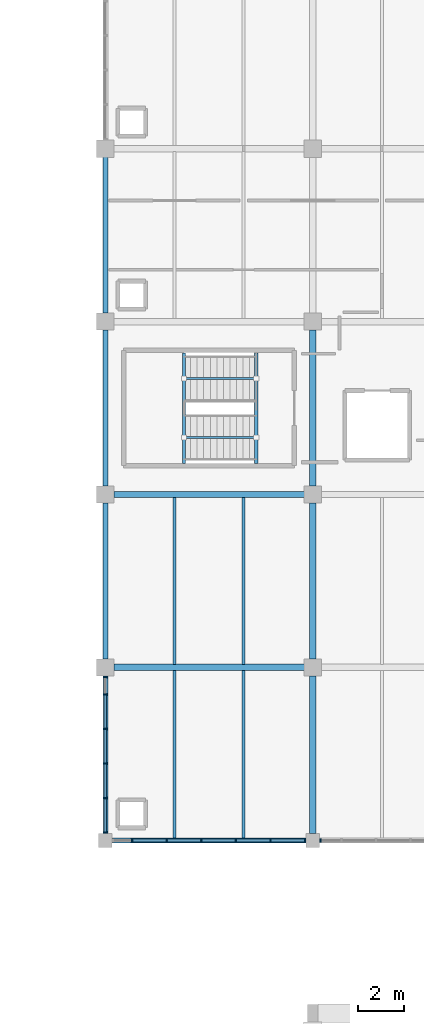
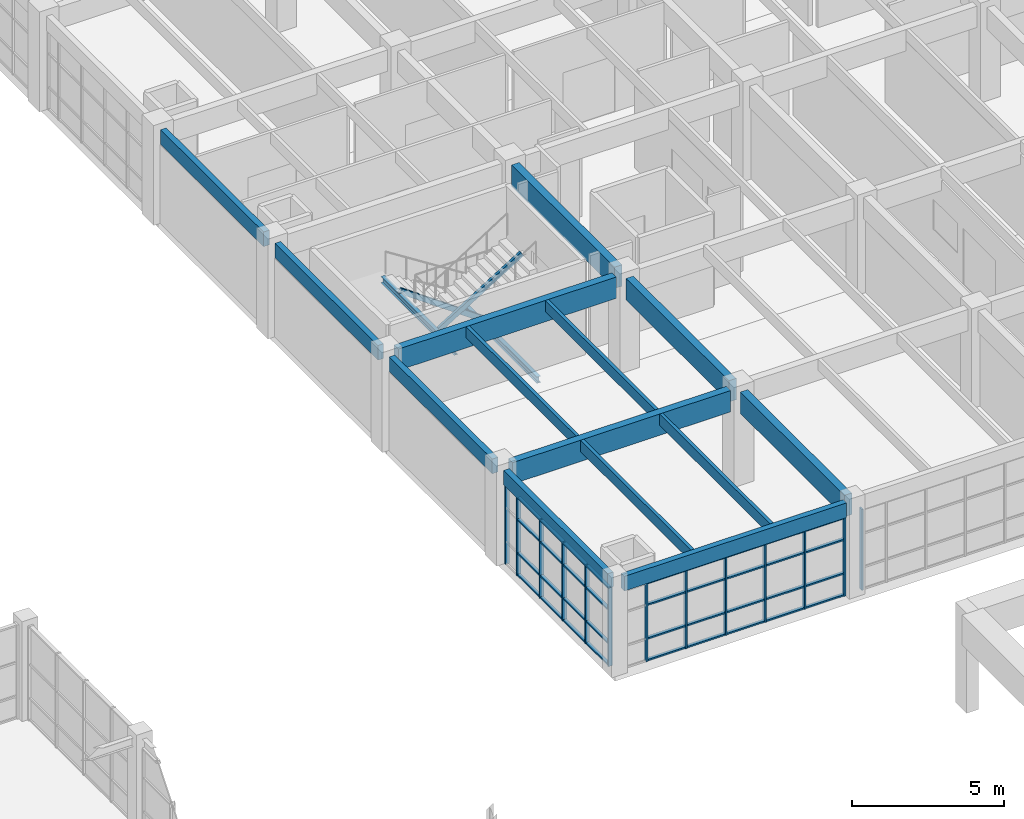
# One storey, part 18 of 76: 51 members, 16 beams, 3 elements without a shape of their own.
"""IFC4 building model written with IfcOpenShell, lengths in metres."""

from ifc_helpers import new_model, si_unit, direction, frame, origin, origin_2d, place, context, subcontext, project, spatial, rectangle, hollow_rectangle, i_section, extrude, material, layer, layer_set, material_profile, profile_set, type_object, element, aggregate, save


model = new_model("IFC4")

# Units and contexts
model_context = context("Model", 3, precision=1e-05, world=origin(), true_north=direction((0.0, 1.0)))
body_context = subcontext(model_context, "Body", "Model", "MODEL_VIEW")
ifc_project = project(units=[si_unit("LENGTHUNIT", "METRE"), si_unit("AREAUNIT", "SQUARE_METRE"), si_unit("VOLUMEUNIT", "CUBIC_METRE"), si_unit("PLANEANGLEUNIT", "RADIAN"), si_unit("MASSUNIT", "GRAM", prefix="KILO")], contexts=[model_context])

# Site, building, storey
site_placement = place(None, origin())
site = spatial("IfcSite", under=ifc_project, at=site_placement, CompositionType="ELEMENT")
building_placement = place(site_placement, origin())
building = spatial("IfcBuilding", under=site, at=building_placement, Name="Marnridge Secondary College", CompositionType="ELEMENT")
storey_placement = place(building_placement, frame((0.0, 0.0, 4.5)))
storey = spatial("IfcBuildingStorey", under=building, at=storey_placement, Name="L01", CompositionType="ELEMENT", Elevation=4.5)

# Beams
ifc_material_1 = material(Name="Glulam timber GL18", Category="wood")
ifc_material_profile_1 = material_profile(ifc_material_1, rectangle(XDim=0.215087890625, YDim=0.5849609375, at=origin_2d()), Name="GL18 215x585")
ifc_profile_set_1 = profile_set([ifc_material_profile_1], Name="Glulam timber GL18")
beam_type_1 = type_object("IfcBeamType", Name="BM-GL585-EXT", PredefinedType="SPANDREL", material=ifc_profile_set_1)
beam_1_placement = place(storey_placement, frame((54.2939453125, 37.5, 3.447509765625), z_axis=(1.0, 0.0, 0.0), x_axis=(0.0, 1.0, 0.0)))
element("IfcBeam", 1, at=beam_1_placement, inside=storey, type_object=beam_type_1, Name="Beam BS-L01-0416", PredefinedType="SPANDREL", context=body_context, shape_type="SweptSolid", body=[
    extrude(rectangle(XDim=0.215087890625, YDim=0.5849609375, at=origin_2d()), origin(), (0.0, 0.0, 1.0), 8.412109375),
])
beam_2_placement = place(storey_placement, frame((54.0, 37.7939453125, 3.447509765625), z_axis=(0.0, 1.0, 0.0), x_axis=(-1.0, 0.0, 0.0)))
element("IfcBeam", 2, at=beam_2_placement, inside=storey, type_object=beam_type_1, Name="Beam BS-L01-0418", PredefinedType="SPANDREL", context=body_context, shape_type="SweptSolid", body=[
    extrude(rectangle(XDim=0.215087890625, YDim=0.5849609375, at=origin_2d()), origin(), (0.0, 0.0, 1.0), 6.837158203125),
])
for number, where, z_axis, x_axis, name in (
    (3, (54.0, 45.368896484375, 3.447509765625), (0.0, 1.0, 0.0), (-1.0, 0.0, 0.0), "Beam BS-L01-0421"),
    (4, (54.0, 52.868896484375, 3.447509765625), (0.0, 1.0, 0.0), (-1.0, 0.0, 0.0), "Beam BS-L01-0424"),
    (5, (54.0, 60.368896484375, 3.447509765625), (0.0, 1.0, 0.0), (-1.0, 0.0, 0.0), "Beam BS-L01-0427"),
):
    element("IfcBeam", number, at=place(storey_placement, frame(where, z_axis=z_axis, x_axis=x_axis)), inside=storey, type_object=beam_type_1, Name=name, PredefinedType="SPANDREL", context=body_context, shape_type="SweptSolid", body=[
        extrude(rectangle(XDim=0.215087890625, YDim=0.5849609375, at=origin_2d()), origin(), (0.0, 0.0, 1.0), 6.76220703125),
    ])
ifc_material_2 = material(Name="Glulam timber GL18", Category="wood")
ifc_material_profile_2 = material_profile(ifc_material_2, rectangle(XDim=0.280029296875, YDim=0.85498046875, at=origin_2d()), Name="GL18 280x855")
ifc_profile_set_2 = profile_set([ifc_material_profile_2], Name="Glulam timber GL18")
beam_type_2 = type_object("IfcBeamType", Name="BM-GL855-INT", PredefinedType="BEAM", material=ifc_profile_set_2)
beam_3_placement = place(storey_placement, frame((54.368896484375, 45.0, 3.3125), z_axis=(1.0, 0.0, 0.0), x_axis=(0.0, 1.0, 0.0)))
element("IfcBeam", 6, at=beam_3_placement, inside=storey, type_object=beam_type_2, Name="Beam B-L01-0417", PredefinedType="BEAM", context=body_context, shape_type="SweptSolid", body=[
    extrude(rectangle(XDim=0.280029296875, YDim=0.85498046875, at=origin_2d()), origin(), (0.0, 0.0, 1.0), 8.26220703125),
])
beam_4_placement = place(storey_placement, frame((63.0, 37.7939453125, 3.3125), z_axis=(0.0, 1.0, 0.0), x_axis=(-1.0, 0.0, 0.0)))
element("IfcBeam", 7, at=beam_4_placement, inside=storey, type_object=beam_type_2, Name="Beam B-L01-0419", PredefinedType="BEAM", context=body_context, shape_type="SweptSolid", body=[
    extrude(rectangle(XDim=0.280029296875, YDim=0.85498046875, at=origin_2d()), origin(), (0.0, 0.0, 1.0), 6.837158203125),
])
beam_5_placement = place(storey_placement, frame((54.368896484375, 52.5, 3.3125), z_axis=(1.0, 0.0, 0.0), x_axis=(0.0, 1.0, 0.0)))
element("IfcBeam", 8, at=beam_5_placement, inside=storey, type_object=beam_type_2, Name="Beam B-L01-0420", PredefinedType="BEAM", context=body_context, shape_type="SweptSolid", body=[
    extrude(rectangle(XDim=0.280029296875, YDim=0.85498046875, at=origin_2d()), origin(), (0.0, 0.0, 1.0), 8.26220703125),
])
for number, where, z_axis, x_axis, name in (
    (9, (63.0, 45.368896484375, 3.3125), (0.0, 1.0, 0.0), (-1.0, 0.0, 0.0), "Beam B-L01-0422"),
    (10, (63.0, 52.868896484375, 3.3125), (0.0, 1.0, 0.0), (-1.0, 0.0, 0.0), "Beam B-L01-0425"),
):
    element("IfcBeam", number, at=place(storey_placement, frame(where, z_axis=z_axis, x_axis=x_axis)), inside=storey, type_object=beam_type_2, Name=name, PredefinedType="BEAM", context=body_context, shape_type="SweptSolid", body=[
        extrude(rectangle(XDim=0.280029296875, YDim=0.85498046875, at=origin_2d()), origin(), (0.0, 0.0, 1.0), 6.76220703125),
    ])
ifc_material_3 = material(Name="Engineered timber LVL E13.2", Category="wood")
ifc_material_profile_3 = material_profile(ifc_material_3, rectangle(XDim=0.1259765625, YDim=0.449951171875, at=origin_2d()), Name="LVL 126x450")
ifc_profile_set_3 = profile_set([ifc_material_profile_3], Name="Engineered timber LVL E13.2")
beam_type_3 = type_object("IfcBeamType", Name="BM-LVL450-INT", PredefinedType="JOIST", material=ifc_profile_set_3)
for number, where, z_axis, x_axis, name in (
    (11, (57.0, 37.6015625, 3.514892578125), (0.0, 1.0, 0.0), (-1.0, 0.0, 0.0), "Beam BJ-L01-0474"),
    (12, (60.0, 37.6015625, 3.514892578125), (0.0, 1.0, 0.0), (-1.0, 0.0, 0.0), "Beam BJ-L01-0475"),
):
    element("IfcBeam", number, at=place(storey_placement, frame(where, z_axis=z_axis, x_axis=x_axis)), inside=storey, type_object=beam_type_3, Name=name, PredefinedType="JOIST", context=body_context, shape_type="SweptSolid", body=[
        extrude(rectangle(XDim=0.1259765625, YDim=0.449951171875, at=origin_2d()), origin(), (0.0, 0.0, 1.0), 7.264404296875),
    ])
for number, where, z_axis, x_axis, name in (
    (13, (57.0, 45.134033203125, 3.514892578125), (0.0, 1.0, 0.0), (-1.0, 0.0, 0.0), "Beam BJ-L01-0476"),
    (14, (60.0, 45.134033203125, 3.514892578125), (0.0, 1.0, 0.0), (-1.0, 0.0, 0.0), "Beam BJ-L01-0477"),
):
    element("IfcBeam", number, at=place(storey_placement, frame(where, z_axis=z_axis, x_axis=x_axis)), inside=storey, type_object=beam_type_3, Name=name, PredefinedType="JOIST", context=body_context, shape_type="SweptSolid", body=[
        extrude(rectangle(XDim=0.1259765625, YDim=0.449951171875, at=origin_2d()), origin(), (0.0, 0.0, 1.0), 7.23193359375),
    ])
ifc_material_4 = material(Name="Structural steel Grade 350 (AS/NZS 3679.1/.2, fy = 340-360 MPa)", Category="steel")
ifc_material_profile_4 = material_profile(ifc_material_4, i_section(OverallWidth=0.146240234375, OverallDepth=0.256103515625, WebThickness=0.00634765625, FlangeThickness=0.010986328125, FilletRadius=0.0087890625, at=origin_2d()), Name="250UB37.3")
ifc_profile_set_4 = profile_set([ifc_material_profile_4], Name="Structural steel Grade 350 (AS/NZS 3679.1/.2, fy = 340-360 MPa)")
beam_type_4 = type_object("IfcBeamType", Name="BM-UB250-EXT", PredefinedType="LINTEL", material=ifc_profile_set_4)
for number, where, z_axis, x_axis, name in (
    (15, (60.550048828125, 53.842041015625, -0.548095703125), (0.0, 1.0, 0.0), (-1.0, 0.0, 0.0), "Stair landing trimmer beam BT-L01-002"),
    (16, (57.4150390625, 53.842041015625, 1.671875), (0.0, 1.0, 0.0), (-1.0, 0.0, 0.0), "Stair landing trimmer beam BT-L01-003"),
):
    element("IfcBeam", number, at=place(storey_placement, frame(where, z_axis=z_axis, x_axis=x_axis)), inside=storey, type_object=beam_type_4, Name=name, PredefinedType="LINTEL", context=body_context, shape_type="SweptSolid", body=[
        extrude(i_section(OverallWidth=0.146240234375, OverallDepth=0.256103515625, WebThickness=0.00634765625, FlangeThickness=0.010986328125, FilletRadius=0.0087890625, at=origin_2d()), origin(), (0.0, 0.0, 1.0), 4.802978515625),
    ])

# Curtain wall, member
ifc_material_5 = material(Name="Thermally broken aluminium and low-E glazing", Category="aluminium")
ifc_layer = layer(ifc_material_5, 0.159912109375)
ifc_layer_set = layer_set([ifc_layer], Name="CW-MOD-1500")
curtain_wall_type = type_object("IfcCurtainWallType", Name="CW-MOD-1500", PredefinedType="NOTDEFINED", material=ifc_layer_set)
curtain_wall_1_placement = place(storey_placement, origin())
curtain_wall_1 = element("IfcCurtainWall", 17, at=curtain_wall_1_placement, inside=storey, type_object=curtain_wall_type, Name="Unitised curtain wall CW-L01-037", PredefinedType="NOTDEFINED")
ifc_material_6 = material(Name="Anodised aluminium 6063-T6", Category="aluminium")
ifc_material_profile_5 = material_profile(ifc_material_6, rectangle(XDim=0.06005859375, YDim=0.159912109375, at=origin_2d()), Name="ALU 60x160")
ifc_profile_set_5 = profile_set([ifc_material_profile_5], Name="Anodised aluminium 6063-T6")
member_type_1 = type_object("IfcMemberType", Name="CWM-ALU160", PredefinedType="MULLION", material=ifc_profile_set_5)
member_1_placement = place(storey_placement, frame((63.333984375, 37.5, 0.0), z_axis=(0.0, 0.0, 1.0), x_axis=(-1.0, 0.0, 0.0)))
member_1 = element("IfcMember", 18, at=member_1_placement, type_object=member_type_1, Name="CW-L01-037 mullion 7", PredefinedType="MULLION", context=body_context, shape_type="SweptSolid", body=[
    extrude(rectangle(XDim=0.06005859375, YDim=0.159912109375, at=origin_2d()), origin(), (0.0, 0.0, 1.0), 3.2470703125),
])
aggregate(curtain_wall_1, [member_1])

# Curtain wall, members
curtain_wall_2_placement = place(storey_placement, origin())
curtain_wall_2 = element("IfcCurtainWall", 19, at=curtain_wall_2_placement, inside=storey, type_object=curtain_wall_type, Name="Unitised curtain wall CW-L01-038", PredefinedType="NOTDEFINED")
member_2_placement = place(storey_placement, frame((62.666015625, 37.5, 0.0), z_axis=(0.0, 0.0, 1.0), x_axis=(-1.0, 0.0, 0.0)))
member_2 = element("IfcMember", 20, at=member_2_placement, type_object=member_type_1, Name="CW-L01-038 mullion 1", PredefinedType="MULLION", context=body_context, shape_type="SweptSolid", body=[
    extrude(rectangle(XDim=0.06005859375, YDim=0.159912109375, at=origin_2d()), origin(), (0.0, 0.0, 1.0), 3.14697265625),
])
member_3_placement = place(storey_placement, frame((61.166015625, 37.5, 0.0), z_axis=(0.0, 0.0, 1.0), x_axis=(-1.0, 0.0, 0.0)))
member_3 = element("IfcMember", 21, at=member_3_placement, type_object=member_type_1, Name="CW-L01-038 mullion 2", PredefinedType="MULLION", context=body_context, shape_type="SweptSolid", body=[
    extrude(rectangle(XDim=0.06005859375, YDim=0.159912109375, at=origin_2d()), origin(), (0.0, 0.0, 1.0), 3.14697265625),
])
member_4_placement = place(storey_placement, frame((59.666015625, 37.5, 0.0), z_axis=(0.0, 0.0, 1.0), x_axis=(-1.0, 0.0, 0.0)))
member_4 = element("IfcMember", 22, at=member_4_placement, type_object=member_type_1, Name="CW-L01-038 mullion 3", PredefinedType="MULLION", context=body_context, shape_type="SweptSolid", body=[
    extrude(rectangle(XDim=0.06005859375, YDim=0.159912109375, at=origin_2d()), origin(), (0.0, 0.0, 1.0), 3.14697265625),
])
member_5_placement = place(storey_placement, frame((58.166015625, 37.5, 0.0), z_axis=(0.0, 0.0, 1.0), x_axis=(-1.0, 0.0, 0.0)))
member_5 = element("IfcMember", 23, at=member_5_placement, type_object=member_type_1, Name="CW-L01-038 mullion 4", PredefinedType="MULLION", context=body_context, shape_type="SweptSolid", body=[
    extrude(rectangle(XDim=0.06005859375, YDim=0.159912109375, at=origin_2d()), origin(), (0.0, 0.0, 1.0), 3.14697265625),
])
member_6_placement = place(storey_placement, frame((56.666015625, 37.5, 0.0), z_axis=(0.0, 0.0, 1.0), x_axis=(-1.0, 0.0, 0.0)))
member_6 = element("IfcMember", 24, at=member_6_placement, type_object=member_type_1, Name="CW-L01-038 mullion 5", PredefinedType="MULLION", context=body_context, shape_type="SweptSolid", body=[
    extrude(rectangle(XDim=0.06005859375, YDim=0.159912109375, at=origin_2d()), origin(), (0.0, 0.0, 1.0), 3.14697265625),
])
member_7_placement = place(storey_placement, frame((55.166015625, 37.5, 0.0), z_axis=(0.0, 0.0, 1.0), x_axis=(-1.0, 0.0, 0.0)))
member_7 = element("IfcMember", 25, at=member_7_placement, type_object=member_type_1, Name="CW-L01-038 mullion 6", PredefinedType="MULLION", context=body_context, shape_type="SweptSolid", body=[
    extrude(rectangle(XDim=0.06005859375, YDim=0.159912109375, at=origin_2d()), origin(), (0.0, 0.0, 1.0), 3.14697265625),
])

curtain_wall_3_placement = place(storey_placement, origin())
curtain_wall_3 = element("IfcCurtainWall", 26, at=curtain_wall_3_placement, inside=storey, type_object=curtain_wall_type, Name="Unitised curtain wall CW-L01-039", PredefinedType="NOTDEFINED")
member_8_placement = place(storey_placement, frame((54.0, 37.833984375, 0.0), z_axis=(0.0, 0.0, 1.0), x_axis=(0.0, 1.0, 0.0)))
member_8 = element("IfcMember", 27, at=member_8_placement, type_object=member_type_1, Name="CW-L01-039 mullion 1", PredefinedType="MULLION", context=body_context, shape_type="SweptSolid", body=[
    extrude(rectangle(XDim=0.06005859375, YDim=0.159912109375, at=origin_2d()), origin(), (0.0, 0.0, 1.0), 3.14697265625),
])
member_9_placement = place(storey_placement, frame((54.0, 39.333984375, 0.0), z_axis=(0.0, 0.0, 1.0), x_axis=(0.0, 1.0, 0.0)))
member_9 = element("IfcMember", 28, at=member_9_placement, type_object=member_type_1, Name="CW-L01-039 mullion 2", PredefinedType="MULLION", context=body_context, shape_type="SweptSolid", body=[
    extrude(rectangle(XDim=0.06005859375, YDim=0.159912109375, at=origin_2d()), origin(), (0.0, 0.0, 1.0), 3.14697265625),
])
member_10_placement = place(storey_placement, frame((54.0, 40.833984375, 0.0), z_axis=(0.0, 0.0, 1.0), x_axis=(0.0, 1.0, 0.0)))
member_10 = element("IfcMember", 29, at=member_10_placement, type_object=member_type_1, Name="CW-L01-039 mullion 3", PredefinedType="MULLION", context=body_context, shape_type="SweptSolid", body=[
    extrude(rectangle(XDim=0.06005859375, YDim=0.159912109375, at=origin_2d()), origin(), (0.0, 0.0, 1.0), 3.14697265625),
])
member_11_placement = place(storey_placement, frame((54.0, 42.333984375, 0.0), z_axis=(0.0, 0.0, 1.0), x_axis=(0.0, 1.0, 0.0)))
member_11 = element("IfcMember", 30, at=member_11_placement, type_object=member_type_1, Name="CW-L01-039 mullion 4", PredefinedType="MULLION", context=body_context, shape_type="SweptSolid", body=[
    extrude(rectangle(XDim=0.06005859375, YDim=0.159912109375, at=origin_2d()), origin(), (0.0, 0.0, 1.0), 3.14697265625),
])
member_12_placement = place(storey_placement, frame((54.0, 43.833984375, 0.0), z_axis=(0.0, 0.0, 1.0), x_axis=(0.0, 1.0, 0.0)))
member_12 = element("IfcMember", 31, at=member_12_placement, type_object=member_type_1, Name="CW-L01-039 mullion 5", PredefinedType="MULLION", context=body_context, shape_type="SweptSolid", body=[
    extrude(rectangle(XDim=0.06005859375, YDim=0.159912109375, at=origin_2d()), origin(), (0.0, 0.0, 1.0), 3.14697265625),
])
member_13_placement = place(storey_placement, frame((54.0, 44.591064453125, 0.0), z_axis=(0.0, 0.0, 1.0), x_axis=(0.0, 1.0, 0.0)))
member_13 = element("IfcMember", 32, at=member_13_placement, type_object=member_type_1, Name="CW-L01-039 mullion 6", PredefinedType="MULLION", context=body_context, shape_type="SweptSolid", body=[
    extrude(rectangle(XDim=0.06005859375, YDim=0.159912109375, at=origin_2d()), origin(), (0.0, 0.0, 1.0), 3.14697265625),
])

# Member
ifc_material_7 = material(Name="Anodised aluminium 6063-T6", Category="aluminium")
ifc_material_profile_6 = material_profile(ifc_material_7, rectangle(XDim=0.06005859375, YDim=0.1201171875, at=origin_2d()), Name="ALU 60x120")
ifc_profile_set_6 = profile_set([ifc_material_profile_6], Name="Anodised aluminium 6063-T6")
member_type_2 = type_object("IfcMemberType", Name="CWT-ALU120", PredefinedType="USERDEFINED", material=ifc_profile_set_6)
member_14_placement = place(storey_placement, frame((62.635986328125, 37.5, 0.030029296875), z_axis=(-1.0, 0.0, 0.0), x_axis=(0.0, 0.0, 1.0)))
member_14 = element("IfcMember", 33, at=member_14_placement, type_object=member_type_2, Name="CW-L01-038 transom 1.1", ObjectType="TRANSOM", PredefinedType="USERDEFINED", context=body_context, shape_type="SweptSolid", body=[
    extrude(rectangle(XDim=0.06005859375, YDim=0.1201171875, at=origin_2d()), origin(), (0.0, 0.0, 1.0), 1.43994140625),
])

member_15_placement = place(storey_placement, frame((62.635986328125, 37.5, 0.89990234375), z_axis=(-1.0, 0.0, 0.0), x_axis=(0.0, 0.0, 1.0)))
member_15 = element("IfcMember", 34, at=member_15_placement, type_object=member_type_2, Name="CW-L01-038 transom 1.2", ObjectType="TRANSOM", PredefinedType="USERDEFINED", context=body_context, shape_type="SweptSolid", body=[
    extrude(rectangle(XDim=0.06005859375, YDim=0.1201171875, at=origin_2d()), origin(), (0.0, 0.0, 1.0), 1.43994140625),
])

member_16_placement = place(storey_placement, frame((62.635986328125, 37.5, 2.25), z_axis=(-1.0, 0.0, 0.0), x_axis=(0.0, 0.0, 1.0)))
member_16 = element("IfcMember", 35, at=member_16_placement, type_object=member_type_2, Name="CW-L01-038 transom 1.3", ObjectType="TRANSOM", PredefinedType="USERDEFINED", context=body_context, shape_type="SweptSolid", body=[
    extrude(rectangle(XDim=0.06005859375, YDim=0.1201171875, at=origin_2d()), origin(), (0.0, 0.0, 1.0), 1.43994140625),
])

member_17_placement = place(storey_placement, frame((62.635986328125, 37.5, 3.116943359375), z_axis=(-1.0, 0.0, 0.0), x_axis=(0.0, 0.0, 1.0)))
member_17 = element("IfcMember", 36, at=member_17_placement, type_object=member_type_2, Name="CW-L01-038 transom 1.4", ObjectType="TRANSOM", PredefinedType="USERDEFINED", context=body_context, shape_type="SweptSolid", body=[
    extrude(rectangle(XDim=0.06005859375, YDim=0.1201171875, at=origin_2d()), origin(), (0.0, 0.0, 1.0), 1.43994140625),
])

member_18_placement = place(storey_placement, frame((61.135986328125, 37.5, 0.030029296875), z_axis=(-1.0, 0.0, 0.0), x_axis=(0.0, 0.0, 1.0)))
member_18 = element("IfcMember", 37, at=member_18_placement, type_object=member_type_2, Name="CW-L01-038 transom 2.1", ObjectType="TRANSOM", PredefinedType="USERDEFINED", context=body_context, shape_type="SweptSolid", body=[
    extrude(rectangle(XDim=0.06005859375, YDim=0.1201171875, at=origin_2d()), origin(), (0.0, 0.0, 1.0), 1.43994140625),
])

member_19_placement = place(storey_placement, frame((61.135986328125, 37.5, 0.89990234375), z_axis=(-1.0, 0.0, 0.0), x_axis=(0.0, 0.0, 1.0)))
member_19 = element("IfcMember", 38, at=member_19_placement, type_object=member_type_2, Name="CW-L01-038 transom 2.2", ObjectType="TRANSOM", PredefinedType="USERDEFINED", context=body_context, shape_type="SweptSolid", body=[
    extrude(rectangle(XDim=0.06005859375, YDim=0.1201171875, at=origin_2d()), origin(), (0.0, 0.0, 1.0), 1.43994140625),
])

member_20_placement = place(storey_placement, frame((61.135986328125, 37.5, 2.25), z_axis=(-1.0, 0.0, 0.0), x_axis=(0.0, 0.0, 1.0)))
member_20 = element("IfcMember", 39, at=member_20_placement, type_object=member_type_2, Name="CW-L01-038 transom 2.3", ObjectType="TRANSOM", PredefinedType="USERDEFINED", context=body_context, shape_type="SweptSolid", body=[
    extrude(rectangle(XDim=0.06005859375, YDim=0.1201171875, at=origin_2d()), origin(), (0.0, 0.0, 1.0), 1.43994140625),
])

member_21_placement = place(storey_placement, frame((61.135986328125, 37.5, 3.116943359375), z_axis=(-1.0, 0.0, 0.0), x_axis=(0.0, 0.0, 1.0)))
member_21 = element("IfcMember", 40, at=member_21_placement, type_object=member_type_2, Name="CW-L01-038 transom 2.4", ObjectType="TRANSOM", PredefinedType="USERDEFINED", context=body_context, shape_type="SweptSolid", body=[
    extrude(rectangle(XDim=0.06005859375, YDim=0.1201171875, at=origin_2d()), origin(), (0.0, 0.0, 1.0), 1.43994140625),
])

member_22_placement = place(storey_placement, frame((59.635986328125, 37.5, 0.030029296875), z_axis=(-1.0, 0.0, 0.0), x_axis=(0.0, 0.0, 1.0)))
member_22 = element("IfcMember", 41, at=member_22_placement, type_object=member_type_2, Name="CW-L01-038 transom 3.1", ObjectType="TRANSOM", PredefinedType="USERDEFINED", context=body_context, shape_type="SweptSolid", body=[
    extrude(rectangle(XDim=0.06005859375, YDim=0.1201171875, at=origin_2d()), origin(), (0.0, 0.0, 1.0), 1.43994140625),
])

member_23_placement = place(storey_placement, frame((59.635986328125, 37.5, 0.89990234375), z_axis=(-1.0, 0.0, 0.0), x_axis=(0.0, 0.0, 1.0)))
member_23 = element("IfcMember", 42, at=member_23_placement, type_object=member_type_2, Name="CW-L01-038 transom 3.2", ObjectType="TRANSOM", PredefinedType="USERDEFINED", context=body_context, shape_type="SweptSolid", body=[
    extrude(rectangle(XDim=0.06005859375, YDim=0.1201171875, at=origin_2d()), origin(), (0.0, 0.0, 1.0), 1.43994140625),
])

member_24_placement = place(storey_placement, frame((59.635986328125, 37.5, 2.25), z_axis=(-1.0, 0.0, 0.0), x_axis=(0.0, 0.0, 1.0)))
member_24 = element("IfcMember", 43, at=member_24_placement, type_object=member_type_2, Name="CW-L01-038 transom 3.3", ObjectType="TRANSOM", PredefinedType="USERDEFINED", context=body_context, shape_type="SweptSolid", body=[
    extrude(rectangle(XDim=0.06005859375, YDim=0.1201171875, at=origin_2d()), origin(), (0.0, 0.0, 1.0), 1.43994140625),
])

member_25_placement = place(storey_placement, frame((59.635986328125, 37.5, 3.116943359375), z_axis=(-1.0, 0.0, 0.0), x_axis=(0.0, 0.0, 1.0)))
member_25 = element("IfcMember", 44, at=member_25_placement, type_object=member_type_2, Name="CW-L01-038 transom 3.4", ObjectType="TRANSOM", PredefinedType="USERDEFINED", context=body_context, shape_type="SweptSolid", body=[
    extrude(rectangle(XDim=0.06005859375, YDim=0.1201171875, at=origin_2d()), origin(), (0.0, 0.0, 1.0), 1.43994140625),
])

member_26_placement = place(storey_placement, frame((58.135986328125, 37.5, 0.030029296875), z_axis=(-1.0, 0.0, 0.0), x_axis=(0.0, 0.0, 1.0)))
member_26 = element("IfcMember", 45, at=member_26_placement, type_object=member_type_2, Name="CW-L01-038 transom 4.1", ObjectType="TRANSOM", PredefinedType="USERDEFINED", context=body_context, shape_type="SweptSolid", body=[
    extrude(rectangle(XDim=0.06005859375, YDim=0.1201171875, at=origin_2d()), origin(), (0.0, 0.0, 1.0), 1.43994140625),
])

member_27_placement = place(storey_placement, frame((58.135986328125, 37.5, 0.89990234375), z_axis=(-1.0, 0.0, 0.0), x_axis=(0.0, 0.0, 1.0)))
member_27 = element("IfcMember", 46, at=member_27_placement, type_object=member_type_2, Name="CW-L01-038 transom 4.2", ObjectType="TRANSOM", PredefinedType="USERDEFINED", context=body_context, shape_type="SweptSolid", body=[
    extrude(rectangle(XDim=0.06005859375, YDim=0.1201171875, at=origin_2d()), origin(), (0.0, 0.0, 1.0), 1.43994140625),
])

member_28_placement = place(storey_placement, frame((58.135986328125, 37.5, 2.25), z_axis=(-1.0, 0.0, 0.0), x_axis=(0.0, 0.0, 1.0)))
member_28 = element("IfcMember", 47, at=member_28_placement, type_object=member_type_2, Name="CW-L01-038 transom 4.3", ObjectType="TRANSOM", PredefinedType="USERDEFINED", context=body_context, shape_type="SweptSolid", body=[
    extrude(rectangle(XDim=0.06005859375, YDim=0.1201171875, at=origin_2d()), origin(), (0.0, 0.0, 1.0), 1.43994140625),
])

member_29_placement = place(storey_placement, frame((58.135986328125, 37.5, 3.116943359375), z_axis=(-1.0, 0.0, 0.0), x_axis=(0.0, 0.0, 1.0)))
member_29 = element("IfcMember", 48, at=member_29_placement, type_object=member_type_2, Name="CW-L01-038 transom 4.4", ObjectType="TRANSOM", PredefinedType="USERDEFINED", context=body_context, shape_type="SweptSolid", body=[
    extrude(rectangle(XDim=0.06005859375, YDim=0.1201171875, at=origin_2d()), origin(), (0.0, 0.0, 1.0), 1.43994140625),
])

member_30_placement = place(storey_placement, frame((56.635986328125, 37.5, 0.030029296875), z_axis=(-1.0, 0.0, 0.0), x_axis=(0.0, 0.0, 1.0)))
member_30 = element("IfcMember", 49, at=member_30_placement, type_object=member_type_2, Name="CW-L01-038 transom 5.1", ObjectType="TRANSOM", PredefinedType="USERDEFINED", context=body_context, shape_type="SweptSolid", body=[
    extrude(rectangle(XDim=0.06005859375, YDim=0.1201171875, at=origin_2d()), origin(), (0.0, 0.0, 1.0), 1.43994140625),
])

member_31_placement = place(storey_placement, frame((56.635986328125, 37.5, 0.89990234375), z_axis=(-1.0, 0.0, 0.0), x_axis=(0.0, 0.0, 1.0)))
member_31 = element("IfcMember", 50, at=member_31_placement, type_object=member_type_2, Name="CW-L01-038 transom 5.2", ObjectType="TRANSOM", PredefinedType="USERDEFINED", context=body_context, shape_type="SweptSolid", body=[
    extrude(rectangle(XDim=0.06005859375, YDim=0.1201171875, at=origin_2d()), origin(), (0.0, 0.0, 1.0), 1.43994140625),
])

member_32_placement = place(storey_placement, frame((56.635986328125, 37.5, 2.25), z_axis=(-1.0, 0.0, 0.0), x_axis=(0.0, 0.0, 1.0)))
member_32 = element("IfcMember", 51, at=member_32_placement, type_object=member_type_2, Name="CW-L01-038 transom 5.3", ObjectType="TRANSOM", PredefinedType="USERDEFINED", context=body_context, shape_type="SweptSolid", body=[
    extrude(rectangle(XDim=0.06005859375, YDim=0.1201171875, at=origin_2d()), origin(), (0.0, 0.0, 1.0), 1.43994140625),
])

member_33_placement = place(storey_placement, frame((56.635986328125, 37.5, 3.116943359375), z_axis=(-1.0, 0.0, 0.0), x_axis=(0.0, 0.0, 1.0)))
member_33 = element("IfcMember", 52, at=member_33_placement, type_object=member_type_2, Name="CW-L01-038 transom 5.4", ObjectType="TRANSOM", PredefinedType="USERDEFINED", context=body_context, shape_type="SweptSolid", body=[
    extrude(rectangle(XDim=0.06005859375, YDim=0.1201171875, at=origin_2d()), origin(), (0.0, 0.0, 1.0), 1.43994140625),
])

aggregate(curtain_wall_2, [member_2, member_3, member_4, member_5, member_6, member_7, member_14, member_15, member_16, member_17, member_18, member_19, member_20, member_21, member_22, member_23, member_24, member_25, member_26, member_27, member_28, member_29, member_30, member_31, member_32, member_33])

member_34_placement = place(storey_placement, frame((54.0, 37.864013671875, 0.030029296875), z_axis=(0.0, 1.0, 0.0), x_axis=(0.0, 0.0, 1.0)))
member_34 = element("IfcMember", 53, at=member_34_placement, type_object=member_type_2, Name="CW-L01-039 transom 1.1", ObjectType="TRANSOM", PredefinedType="USERDEFINED", context=body_context, shape_type="SweptSolid", body=[
    extrude(rectangle(XDim=0.06005859375, YDim=0.1201171875, at=origin_2d()), origin(), (0.0, 0.0, 1.0), 1.43994140625),
])

member_35_placement = place(storey_placement, frame((54.0, 37.864013671875, 0.89990234375), z_axis=(0.0, 1.0, 0.0), x_axis=(0.0, 0.0, 1.0)))
member_35 = element("IfcMember", 54, at=member_35_placement, type_object=member_type_2, Name="CW-L01-039 transom 1.2", ObjectType="TRANSOM", PredefinedType="USERDEFINED", context=body_context, shape_type="SweptSolid", body=[
    extrude(rectangle(XDim=0.06005859375, YDim=0.1201171875, at=origin_2d()), origin(), (0.0, 0.0, 1.0), 1.43994140625),
])

member_36_placement = place(storey_placement, frame((54.0, 37.864013671875, 2.25), z_axis=(0.0, 1.0, 0.0), x_axis=(0.0, 0.0, 1.0)))
member_36 = element("IfcMember", 55, at=member_36_placement, type_object=member_type_2, Name="CW-L01-039 transom 1.3", ObjectType="TRANSOM", PredefinedType="USERDEFINED", context=body_context, shape_type="SweptSolid", body=[
    extrude(rectangle(XDim=0.06005859375, YDim=0.1201171875, at=origin_2d()), origin(), (0.0, 0.0, 1.0), 1.43994140625),
])

member_37_placement = place(storey_placement, frame((54.0, 37.864013671875, 3.116943359375), z_axis=(0.0, 1.0, 0.0), x_axis=(0.0, 0.0, 1.0)))
member_37 = element("IfcMember", 56, at=member_37_placement, type_object=member_type_2, Name="CW-L01-039 transom 1.4", ObjectType="TRANSOM", PredefinedType="USERDEFINED", context=body_context, shape_type="SweptSolid", body=[
    extrude(rectangle(XDim=0.06005859375, YDim=0.1201171875, at=origin_2d()), origin(), (0.0, 0.0, 1.0), 1.43994140625),
])

member_38_placement = place(storey_placement, frame((54.0, 39.364013671875, 0.030029296875), z_axis=(0.0, 1.0, 0.0), x_axis=(0.0, 0.0, 1.0)))
member_38 = element("IfcMember", 57, at=member_38_placement, type_object=member_type_2, Name="CW-L01-039 transom 2.1", ObjectType="TRANSOM", PredefinedType="USERDEFINED", context=body_context, shape_type="SweptSolid", body=[
    extrude(rectangle(XDim=0.06005859375, YDim=0.1201171875, at=origin_2d()), origin(), (0.0, 0.0, 1.0), 1.43994140625),
])

member_39_placement = place(storey_placement, frame((54.0, 39.364013671875, 0.89990234375), z_axis=(0.0, 1.0, 0.0), x_axis=(0.0, 0.0, 1.0)))
member_39 = element("IfcMember", 58, at=member_39_placement, type_object=member_type_2, Name="CW-L01-039 transom 2.2", ObjectType="TRANSOM", PredefinedType="USERDEFINED", context=body_context, shape_type="SweptSolid", body=[
    extrude(rectangle(XDim=0.06005859375, YDim=0.1201171875, at=origin_2d()), origin(), (0.0, 0.0, 1.0), 1.43994140625),
])

member_40_placement = place(storey_placement, frame((54.0, 39.364013671875, 2.25), z_axis=(0.0, 1.0, 0.0), x_axis=(0.0, 0.0, 1.0)))
member_40 = element("IfcMember", 59, at=member_40_placement, type_object=member_type_2, Name="CW-L01-039 transom 2.3", ObjectType="TRANSOM", PredefinedType="USERDEFINED", context=body_context, shape_type="SweptSolid", body=[
    extrude(rectangle(XDim=0.06005859375, YDim=0.1201171875, at=origin_2d()), origin(), (0.0, 0.0, 1.0), 1.43994140625),
])

member_41_placement = place(storey_placement, frame((54.0, 39.364013671875, 3.116943359375), z_axis=(0.0, 1.0, 0.0), x_axis=(0.0, 0.0, 1.0)))
member_41 = element("IfcMember", 60, at=member_41_placement, type_object=member_type_2, Name="CW-L01-039 transom 2.4", ObjectType="TRANSOM", PredefinedType="USERDEFINED", context=body_context, shape_type="SweptSolid", body=[
    extrude(rectangle(XDim=0.06005859375, YDim=0.1201171875, at=origin_2d()), origin(), (0.0, 0.0, 1.0), 1.43994140625),
])

member_42_placement = place(storey_placement, frame((54.0, 40.864013671875, 0.030029296875), z_axis=(0.0, 1.0, 0.0), x_axis=(0.0, 0.0, 1.0)))
member_42 = element("IfcMember", 61, at=member_42_placement, type_object=member_type_2, Name="CW-L01-039 transom 3.1", ObjectType="TRANSOM", PredefinedType="USERDEFINED", context=body_context, shape_type="SweptSolid", body=[
    extrude(rectangle(XDim=0.06005859375, YDim=0.1201171875, at=origin_2d()), origin(), (0.0, 0.0, 1.0), 1.43994140625),
])

member_43_placement = place(storey_placement, frame((54.0, 40.864013671875, 0.89990234375), z_axis=(0.0, 1.0, 0.0), x_axis=(0.0, 0.0, 1.0)))
member_43 = element("IfcMember", 62, at=member_43_placement, type_object=member_type_2, Name="CW-L01-039 transom 3.2", ObjectType="TRANSOM", PredefinedType="USERDEFINED", context=body_context, shape_type="SweptSolid", body=[
    extrude(rectangle(XDim=0.06005859375, YDim=0.1201171875, at=origin_2d()), origin(), (0.0, 0.0, 1.0), 1.43994140625),
])

member_44_placement = place(storey_placement, frame((54.0, 40.864013671875, 2.25), z_axis=(0.0, 1.0, 0.0), x_axis=(0.0, 0.0, 1.0)))
member_44 = element("IfcMember", 63, at=member_44_placement, type_object=member_type_2, Name="CW-L01-039 transom 3.3", ObjectType="TRANSOM", PredefinedType="USERDEFINED", context=body_context, shape_type="SweptSolid", body=[
    extrude(rectangle(XDim=0.06005859375, YDim=0.1201171875, at=origin_2d()), origin(), (0.0, 0.0, 1.0), 1.43994140625),
])

member_45_placement = place(storey_placement, frame((54.0, 40.864013671875, 3.116943359375), z_axis=(0.0, 1.0, 0.0), x_axis=(0.0, 0.0, 1.0)))
member_45 = element("IfcMember", 64, at=member_45_placement, type_object=member_type_2, Name="CW-L01-039 transom 3.4", ObjectType="TRANSOM", PredefinedType="USERDEFINED", context=body_context, shape_type="SweptSolid", body=[
    extrude(rectangle(XDim=0.06005859375, YDim=0.1201171875, at=origin_2d()), origin(), (0.0, 0.0, 1.0), 1.43994140625),
])

member_46_placement = place(storey_placement, frame((54.0, 42.364013671875, 0.030029296875), z_axis=(0.0, 1.0, 0.0), x_axis=(0.0, 0.0, 1.0)))
member_46 = element("IfcMember", 65, at=member_46_placement, type_object=member_type_2, Name="CW-L01-039 transom 4.1", ObjectType="TRANSOM", PredefinedType="USERDEFINED", context=body_context, shape_type="SweptSolid", body=[
    extrude(rectangle(XDim=0.06005859375, YDim=0.1201171875, at=origin_2d()), origin(), (0.0, 0.0, 1.0), 1.43994140625),
])

member_47_placement = place(storey_placement, frame((54.0, 42.364013671875, 0.89990234375), z_axis=(0.0, 1.0, 0.0), x_axis=(0.0, 0.0, 1.0)))
member_47 = element("IfcMember", 66, at=member_47_placement, type_object=member_type_2, Name="CW-L01-039 transom 4.2", ObjectType="TRANSOM", PredefinedType="USERDEFINED", context=body_context, shape_type="SweptSolid", body=[
    extrude(rectangle(XDim=0.06005859375, YDim=0.1201171875, at=origin_2d()), origin(), (0.0, 0.0, 1.0), 1.43994140625),
])

member_48_placement = place(storey_placement, frame((54.0, 42.364013671875, 2.25), z_axis=(0.0, 1.0, 0.0), x_axis=(0.0, 0.0, 1.0)))
member_48 = element("IfcMember", 67, at=member_48_placement, type_object=member_type_2, Name="CW-L01-039 transom 4.3", ObjectType="TRANSOM", PredefinedType="USERDEFINED", context=body_context, shape_type="SweptSolid", body=[
    extrude(rectangle(XDim=0.06005859375, YDim=0.1201171875, at=origin_2d()), origin(), (0.0, 0.0, 1.0), 1.43994140625),
])

member_49_placement = place(storey_placement, frame((54.0, 42.364013671875, 3.116943359375), z_axis=(0.0, 1.0, 0.0), x_axis=(0.0, 0.0, 1.0)))
member_49 = element("IfcMember", 68, at=member_49_placement, type_object=member_type_2, Name="CW-L01-039 transom 4.4", ObjectType="TRANSOM", PredefinedType="USERDEFINED", context=body_context, shape_type="SweptSolid", body=[
    extrude(rectangle(XDim=0.06005859375, YDim=0.1201171875, at=origin_2d()), origin(), (0.0, 0.0, 1.0), 1.43994140625),
])

aggregate(curtain_wall_3, [member_8, member_9, member_10, member_11, member_12, member_13, member_34, member_35, member_36, member_37, member_38, member_39, member_40, member_41, member_42, member_43, member_44, member_45, member_46, member_47, member_48, member_49])

# Members
ifc_material_8 = material(Name="Cold-formed steel Grade C350L0 (AS/NZS 1163, fy = 350 MPa)", Category="steel")
ifc_material_profile_7 = material_profile(ifc_material_8, hollow_rectangle(XDim=0.10009765625, YDim=0.199951171875, WallThickness=0.006103515625, at=origin_2d()), Name="200x100x6.0RHS")
ifc_profile_set_7 = profile_set([ifc_material_profile_7], Name="Cold-formed steel Grade C350L0 (AS/NZS 1163, fy = 350 MPa)")
member_type_3 = type_object("IfcMemberType", Name="MB-STR-RHS200", PredefinedType="STRINGER", material=ifc_profile_set_7)
member_50_placement = place(storey_placement, frame((60.550048828125, 57.530029296875, -0.327880859375), z_axis=(-0.816105661402, 0.0, 0.577902716231), x_axis=(0.0, -1.0, 0.0)))
element("IfcMember", 69, at=member_50_placement, inside=storey, type_object=member_type_3, Name="Stair stringer STR-003", PredefinedType="STRINGER", context=body_context, shape_type="SweptSolid", body=[
    extrude(hollow_rectangle(XDim=0.10009765625, YDim=0.199951171875, WallThickness=0.006103515625, at=origin_2d()), origin(), (0.0, 0.0, 1.0), 3.84130859375),
])
member_51_placement = place(storey_placement, frame((57.4150390625, 54.969970703125, 1.89208984375), z_axis=(0.850359689631, 0.0, 0.526201860744), x_axis=(0.0, 1.0, 0.0)))
element("IfcMember", 70, at=member_51_placement, inside=storey, type_object=member_type_3, Name="Stair stringer STR-004", PredefinedType="STRINGER", context=body_context, shape_type="SweptSolid", body=[
    extrude(hollow_rectangle(XDim=0.10009765625, YDim=0.199951171875, WallThickness=0.006103515625, at=origin_2d()), origin(), (0.0, 0.0, 1.0), 3.686767578125),
])

save(model, "model.ifc")
